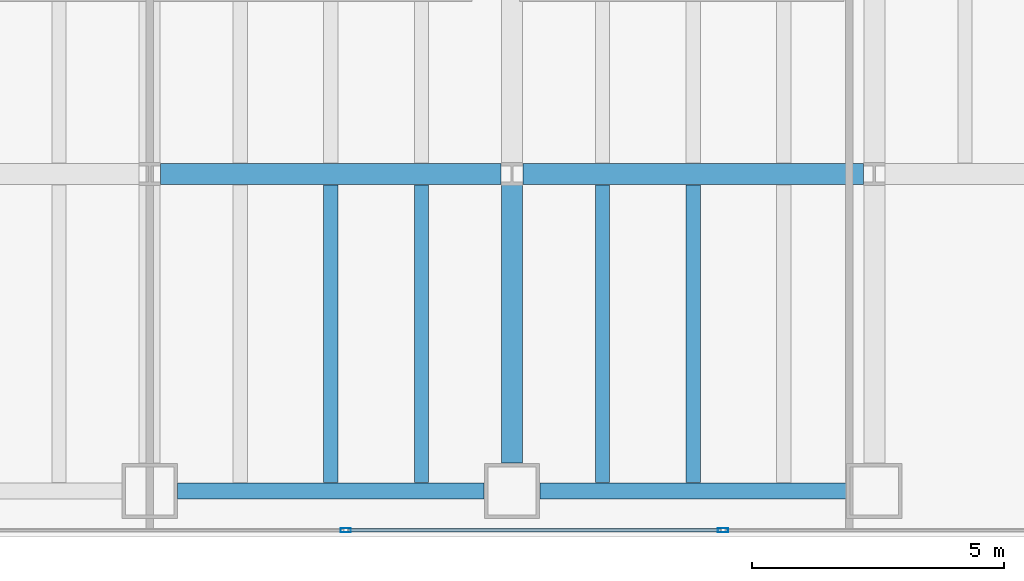
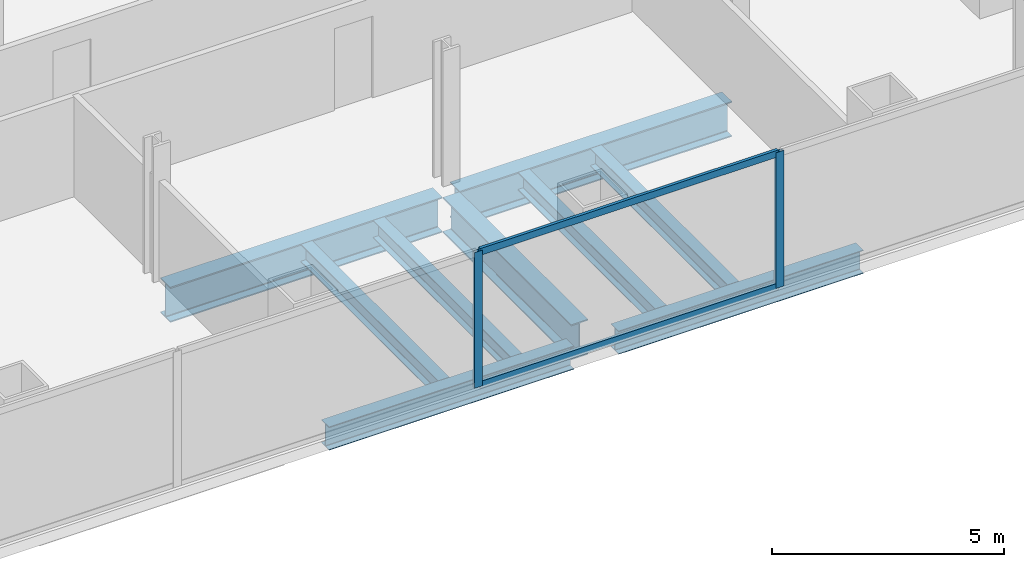
# One storey, part 7 of 23: 9 beams, 4 members, 1 element without a shape of its own.
"""IFC4 building model written with IfcOpenShell, lengths in metres."""

from ifc_helpers import new_model, si_unit, direction, frame, origin, origin_2d, place, context, subcontext, project, spatial, hollow_rectangle, i_section, extrude, material, material_profile, profile_set, type_object, element, aggregate, save


model = new_model("IFC4")

# Units and contexts
model_context = context("Model", 3, precision=1e-05, world=origin(), true_north=direction((0.0, 1.0)))
body_context = subcontext(model_context, "Body", "Model", "MODEL_VIEW")
ifc_project = project(units=[si_unit("LENGTHUNIT", "METRE"), si_unit("AREAUNIT", "SQUARE_METRE"), si_unit("VOLUMEUNIT", "CUBIC_METRE"), si_unit("PLANEANGLEUNIT", "RADIAN"), si_unit("MASSUNIT", "GRAM", prefix="KILO")], contexts=[model_context])

# Site, building, storey
site_placement = place(None, origin())
site = spatial("IfcSite", under=ifc_project, at=site_placement, CompositionType="ELEMENT")
building_placement = place(site_placement, origin())
building = spatial("IfcBuilding", under=site, at=building_placement, Name="Cobrela Telecom Tower", CompositionType="ELEMENT")
storey_placement = place(building_placement, frame((0.0, 0.0, 38.85009765625)))
storey = spatial("IfcBuildingStorey", under=building, at=storey_placement, Name="L09", CompositionType="ELEMENT", Elevation=38.85009765625)

# Beams
ifc_material_1 = material(Name="Steel ASTM A992 Grade 50", Category="steel")
ifc_material_profile_1 = material_profile(ifc_material_1, i_section(OverallWidth=0.4189453125, OverallDepth=0.927001953125, WebThickness=0.019287109375, FlangeThickness=0.031982421875, FilletRadius=0.02392578125, at=origin_2d()), Name="W36X231")
ifc_profile_set_1 = profile_set([ifc_material_profile_1], Name="Steel ASTM A992 Grade 50")
beam_type_1 = type_object("IfcBeamType", Name="BM-GIRD-02", PredefinedType="USERDEFINED", material=ifc_profile_set_1)
for number, where, z_axis, x_axis, name in (
    (1, (29.01611328125, 7.199951171875, -0.74365234375), (1.0, 0.0, 0.0), (0.0, 1.0, 0.0), "L09 Primary Girder X10"),
    (2, (36.216064453125, 7.199951171875, -0.74365234375), (1.0, 0.0, 0.0), (0.0, 1.0, 0.0), "L09 Primary Girder X11"),
):
    element("IfcBeam", number, at=place(storey_placement, frame(where, z_axis=z_axis, x_axis=x_axis)), inside=storey, type_object=beam_type_1, Name=name, ObjectType="GIRDER", PredefinedType="USERDEFINED", context=body_context, shape_type="SweptSolid", body=[
        extrude(i_section(OverallWidth=0.4189453125, OverallDepth=0.927001953125, WebThickness=0.019287109375, FlangeThickness=0.031982421875, FilletRadius=0.02392578125, at=origin_2d()), origin(), (0.0, 0.0, 1.0), 6.767822265625),
    ])
beam_placement = place(storey_placement, frame((36.0, 1.455078125, -0.74365234375), z_axis=(0.0, 1.0, 0.0), x_axis=(-1.0, 0.0, 0.0)))
element("IfcBeam", 3, at=beam_placement, inside=storey, type_object=beam_type_1, Name="L09 Primary Girder Y50", ObjectType="GIRDER", PredefinedType="USERDEFINED", context=body_context, shape_type="SweptSolid", body=[
    extrude(i_section(OverallWidth=0.4189453125, OverallDepth=0.927001953125, WebThickness=0.019287109375, FlangeThickness=0.031982421875, FilletRadius=0.02392578125, at=origin_2d()), origin(), (0.0, 0.0, 1.0), 5.52880859375),
])
ifc_material_profile_2 = material_profile(ifc_material_1, i_section(OverallWidth=0.281982421875, OverallDepth=0.467041015625, WebThickness=0.01220703125, FlangeThickness=0.01953125, FilletRadius=0.012939453125, at=origin_2d()), Name="W18X86")
ifc_profile_set_2 = profile_set([ifc_material_profile_2], Name="Steel ASTM A992 Grade 50")
beam_type_2 = type_object("IfcBeamType", Name="BM-JOIST-02", PredefinedType="JOIST", material=ifc_profile_set_2)
for number, where, z_axis, x_axis, name in (
    (4, (32.39990234375, 1.0673828125, -0.513671875), (0.0, 1.0, 0.0), (-1.0, 0.0, 0.0), "L09 Secondary Composite Floor Beam J44"),
    (5, (34.199951171875, 1.0673828125, -0.513671875), (0.0, 1.0, 0.0), (-1.0, 0.0, 0.0), "L09 Secondary Composite Floor Beam J47"),
    (6, (37.800048828125, 1.0673828125, -0.513671875), (0.0, 1.0, 0.0), (-1.0, 0.0, 0.0), "L09 Secondary Composite Floor Beam J50"),
    (7, (39.60009765625, 1.0673828125, -0.513671875), (0.0, 1.0, 0.0), (-1.0, 0.0, 0.0), "L09 Secondary Composite Floor Beam J53"),
):
    element("IfcBeam", number, at=place(storey_placement, frame(where, z_axis=z_axis, x_axis=x_axis)), inside=storey, type_object=beam_type_2, Name=name, PredefinedType="JOIST", context=body_context, shape_type="SweptSolid", body=[
        extrude(i_section(OverallWidth=0.281982421875, OverallDepth=0.467041015625, WebThickness=0.01220703125, FlangeThickness=0.01953125, FilletRadius=0.012939453125, at=origin_2d()), origin(), (0.0, 0.0, 1.0), 5.918212890625),
    ])
ifc_material_profile_3 = material_profile(ifc_material_1, i_section(OverallWidth=0.324951171875, OverallDepth=0.612060546875, WebThickness=0.0126953125, FlangeThickness=0.01904296875, FilletRadius=0.014892578125, at=origin_2d()), Name="W24X104")
ifc_profile_set_3 = profile_set([ifc_material_profile_3], Name="Steel ASTM A992 Grade 50")
beam_type_3 = type_object("IfcBeamType", Name="BM-SPAND-02", PredefinedType="SPANDREL", material=ifc_profile_set_3)
for number, where, z_axis, x_axis, name in (
    (8, (29.35498046875, 0.89990234375, -0.586181640625), (1.0, 0.0, 0.0), (0.0, 1.0, 0.0), "L09 Perimeter Spandrel X04"),
    (9, (36.554931640625, 0.89990234375, -0.586181640625), (1.0, 0.0, 0.0), (0.0, 1.0, 0.0), "L09 Perimeter Spandrel X05"),
):
    element("IfcBeam", number, at=place(storey_placement, frame(where, z_axis=z_axis, x_axis=x_axis)), inside=storey, type_object=beam_type_3, Name=name, PredefinedType="SPANDREL", context=body_context, shape_type="SweptSolid", body=[
        extrude(i_section(OverallWidth=0.324951171875, OverallDepth=0.612060546875, WebThickness=0.0126953125, FlangeThickness=0.01904296875, FilletRadius=0.014892578125, at=origin_2d()), origin(), (0.0, 0.0, 1.0), 6.090087890625),
    ])

# Curtain wall, members
ifc_material_2 = material(Name="Anodized Bronze Aluminium 6063-T6", Category="aluminium")
curtain_wall_type = type_object("IfcCurtainWallType", Name="CW-SYS-DATA", PredefinedType="USERDEFINED", material=ifc_material_2)
curtain_wall_placement = place(storey_placement, origin())
curtain_wall = element("IfcCurtainWall", 10, at=curtain_wall_placement, inside=storey, type_object=curtain_wall_type, Name="L09 Unitised Bronze Curtain Wall 17", ObjectType="UNITISED CURTAIN WALL", PredefinedType="USERDEFINED")
ifc_material_profile_4 = material_profile(ifc_material_2, hollow_rectangle(XDim=0.080078125, YDim=0.199951171875, WallThickness=0.00390625, at=origin_2d()), Name="ALU 80x200x4")
ifc_profile_set_4 = profile_set([ifc_material_profile_4], Name="Anodized Bronze Aluminium 6063-T6")
member_type_1 = type_object("IfcMemberType", Name="CW-SYS-DATA-MUL", PredefinedType="MULLION", material=ifc_profile_set_4)
member_1_placement = place(storey_placement, frame((40.193359375, 0.1201171875, 0.0), z_axis=(0.0, 0.0, 1.0), x_axis=(0.0, -1.0, 0.0)))
member_1 = element("IfcMember", 11, at=member_1_placement, type_object=member_type_1, Name="CW-DATA mullion 2", PredefinedType="MULLION", context=body_context, shape_type="SweptSolid", body=[
    extrude(hollow_rectangle(XDim=0.080078125, YDim=0.199951171875, WallThickness=0.00390625, at=origin_2d()), origin(), (0.0, 0.0, 1.0), 3.56982421875),
])
member_2_placement = place(storey_placement, frame((32.69677734375, 0.1201171875, 0.0), z_axis=(0.0, 0.0, 1.0), x_axis=(0.0, -1.0, 0.0)))
member_2 = element("IfcMember", 12, at=member_2_placement, type_object=member_type_1, Name="CW-DATA mullion 3", PredefinedType="MULLION", context=body_context, shape_type="SweptSolid", body=[
    extrude(hollow_rectangle(XDim=0.080078125, YDim=0.199951171875, WallThickness=0.00390625, at=origin_2d()), origin(), (0.0, 0.0, 1.0), 3.56982421875),
])
ifc_material_profile_5 = material_profile(ifc_material_2, hollow_rectangle(XDim=0.074951171875, YDim=0.179931640625, WallThickness=0.00390625, at=origin_2d()), Name="ALU 75x180x4")
ifc_profile_set_5 = profile_set([ifc_material_profile_5], Name="Anodized Bronze Aluminium 6063-T6")
member_type_2 = type_object("IfcMemberType", Name="CW-SYS-DATA-TRN", PredefinedType="USERDEFINED", material=ifc_profile_set_5)
member_3_placement = place(storey_placement, frame((40.1533203125, 0.1201171875, 0.037353515625), z_axis=(-1.0, 0.0, 0.0), x_axis=(0.0, -1.0, 0.0)))
member_3 = element("IfcMember", 13, at=member_3_placement, type_object=member_type_2, Name="CW-DATA transom 2.1", ObjectType="TRANSOM", PredefinedType="USERDEFINED", context=body_context, shape_type="SweptSolid", body=[
    extrude(hollow_rectangle(XDim=0.074951171875, YDim=0.179931640625, WallThickness=0.00390625, at=origin_2d()), origin(), (0.0, 0.0, 1.0), 7.416748046875),
])
member_4_placement = place(storey_placement, frame((40.1533203125, 0.1201171875, 3.532470703125), z_axis=(-1.0, 0.0, 0.0), x_axis=(0.0, -1.0, 0.0)))
member_4 = element("IfcMember", 14, at=member_4_placement, type_object=member_type_2, Name="CW-DATA transom 2.2", ObjectType="TRANSOM", PredefinedType="USERDEFINED", context=body_context, shape_type="SweptSolid", body=[
    extrude(hollow_rectangle(XDim=0.074951171875, YDim=0.179931640625, WallThickness=0.00390625, at=origin_2d()), origin(), (0.0, 0.0, 1.0), 7.416748046875),
])
aggregate(curtain_wall, [member_1, member_2, member_3, member_4])

save(model, "model.ifc")
